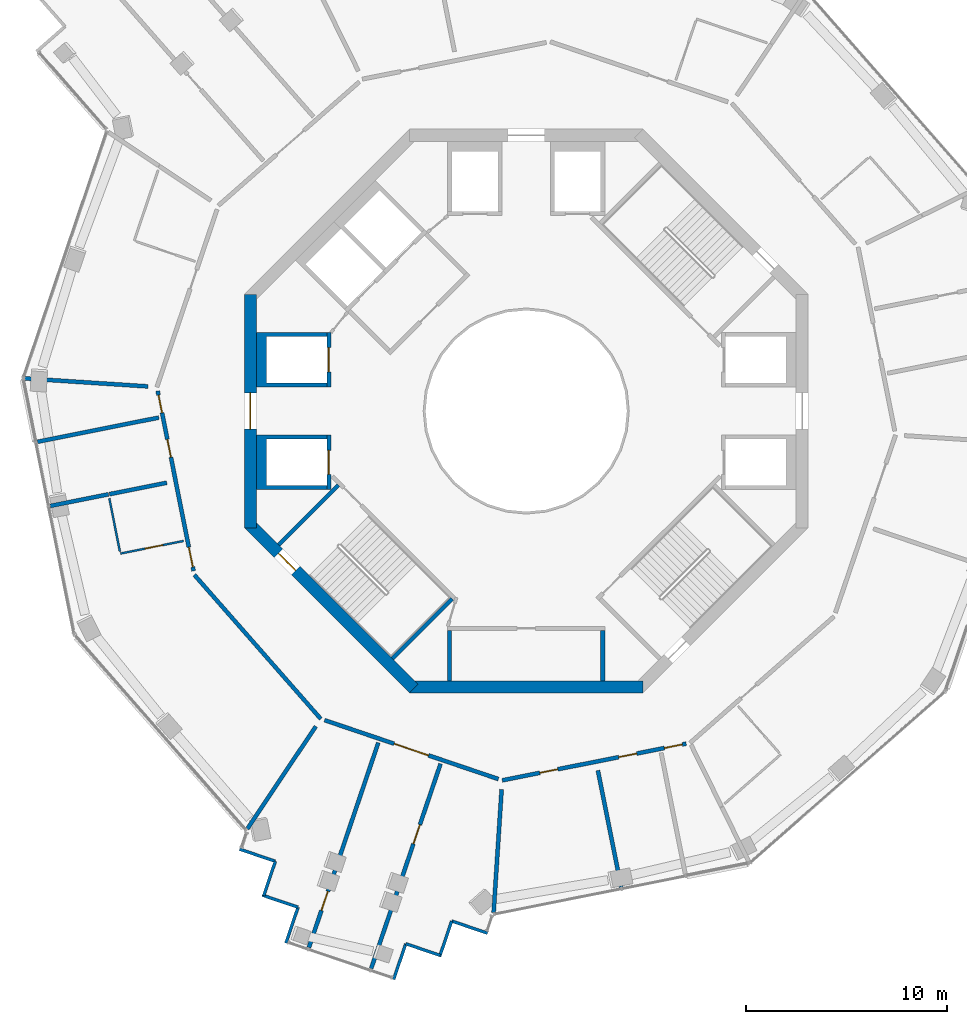
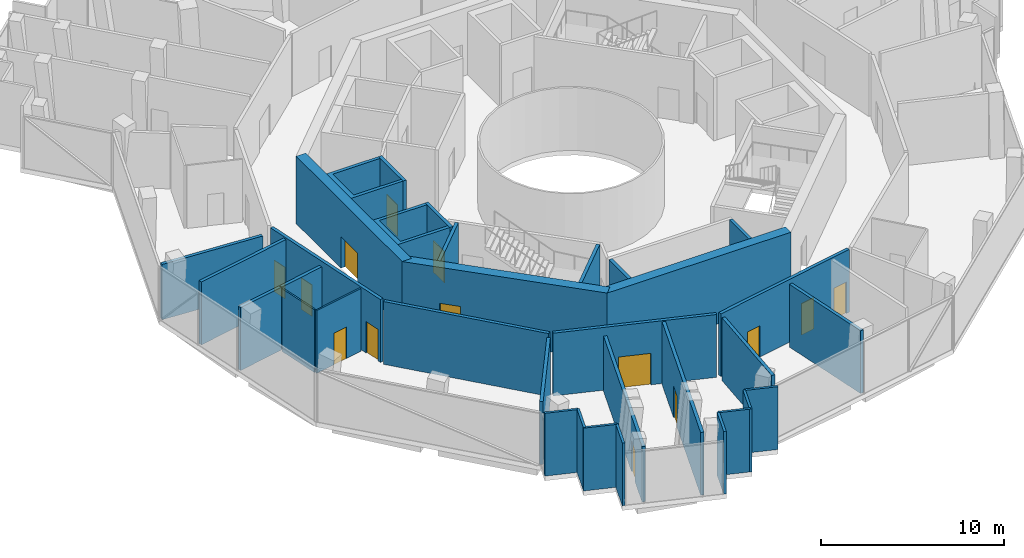
# One storey, part 11 of 17: 34 walls, 14 doors, 14 openings.
"""IFC4 building model written with IfcOpenShell, lengths in metres."""

from ifc_helpers import new_model, si_unit, direction, frame, frame_2d, origin, place, context, subcontext, project, spatial, polyline, rectangle, outline, extrude, material, layer, layer_set, type_object, element, fill, save


model = new_model("IFC4")

# Units and contexts
model_context = context("Model", 3, precision=1e-05, world=origin(), true_north=direction((0.0, 1.0)))
body_context = subcontext(model_context, "Body", "Model", "MODEL_VIEW")
ifc_project = project(units=[si_unit("LENGTHUNIT", "METRE"), si_unit("AREAUNIT", "SQUARE_METRE"), si_unit("VOLUMEUNIT", "CUBIC_METRE"), si_unit("PLANEANGLEUNIT", "RADIAN"), si_unit("MASSUNIT", "GRAM", prefix="KILO")], contexts=[model_context])

# Site, building, storey
site_placement = place(None, origin())
site = spatial("IfcSite", under=ifc_project, at=site_placement, CompositionType="ELEMENT")
building_placement = place(site_placement, origin())
building = spatial("IfcBuilding", under=site, at=building_placement, Name="Verdalira Terraces Hotel", CompositionType="ELEMENT")
storey_placement = place(building_placement, frame((0.0, 0.0, 201.0)))
storey = spatial("IfcBuildingStorey", under=building, at=storey_placement, Name="L49", CompositionType="ELEMENT", Elevation=201.0)

# Wall
ifc_material_1 = material(Name="Moisture-resistant gypsum board partition")
ifc_layer_1 = layer(ifc_material_1, 0.10009765625)
ifc_layer_set_1 = layer_set([ifc_layer_1], Name="Bathroom partition 100 mm")
wall_type_1 = type_object("IfcWallType", Name="Bathroom partition 100 mm", PredefinedType="PARTITIONING", material=ifc_layer_set_1)
wall_1_placement = place(storey_placement, frame((-20.182373, -6.982666, 0.0), z_axis=(0.0, 0.0, 1.0), x_axis=(-0.195577067, 0.980688335, 0.0)))
element("IfcWall", 1, at=wall_1_placement, inside=storey, type_object=wall_type_1, Name="Bathroom partition", PredefinedType="PARTITIONING", context=body_context, shape_type="SweptSolid", body=[
    extrude(rectangle(XDim=2.700195, YDim=0.100098, at=frame_2d((1.350098, 0.0))), origin(), (0.0, 0.0, 1.0), 4.189941),
])

# Wall, opening, door
wall_2_placement = place(storey_placement, frame((-20.162842, -7.080811, 0.0), z_axis=(0.0, 0.0, 1.0), x_axis=(0.980680318, 0.195617266, 0.0)))
wall_2 = element("IfcWall", 2, at=wall_2_placement, inside=storey, type_object=wall_type_1, Name="Bathroom partition", PredefinedType="PARTITIONING", context=body_context, shape_type="SweptSolid", body=[
    extrude(rectangle(XDim=3.199951, YDim=0.100098, at=frame_2d((1.600098, 0.0))), origin(), (0.0, 0.0, 1.0), 4.189941),
])
opening_1_placement = place(wall_2_placement, frame((1.25, 0.0, 0.0)))
opening_1 = element("IfcOpeningElement", 3, at=opening_1_placement, cuts=wall_2, Name="Opening L49-107", PredefinedType="OPENING", context=body_context, shape_type="SweptSolid", body=[
    extrude(rectangle(XDim=0.899902, YDim=2.100098, at=frame_2d((0.449951, 1.050049))), frame((0.0, 0.060059, 0.0), z_axis=(0.0, -1.0, 0.0), x_axis=(1.0, 0.0, 0.0)), (0.0, 0.0, 1.0), 0.120117),
])
ifc_material_2 = material(Name="Timber door", Category="wood")
door_type_1 = type_object("IfcDoorType", Name="Bathroom door 900 x 2100", OperationType="NOTDEFINED", PredefinedType="DOOR", material=ifc_material_2)
door_1_placement = place(opening_1_placement, origin())
door_1 = element("IfcDoor", 4, at=door_1_placement, inside=storey, type_object=door_type_1, Name="Bathroom door 4903", OperationType="SINGLE_SWING_LEFT", OverallHeight=2.10009765625, OverallWidth=0.89990234375, PredefinedType="DOOR", context=body_context, shape_type="SweptSolid", body=[
    extrude(rectangle(XDim=0.899902, YDim=2.100098, at=frame_2d((0.449951, 1.050049))), frame((0.0, 0.024902, 0.0), z_axis=(0.0, -1.0, 0.0), x_axis=(1.0, 0.0, 0.0)), (0.0, 0.0, 1.0), 0.050049),
])
fill(opening_1, door_1)

# Wall
ifc_material_3 = material(Name="Concrete C50", Category="concrete")
ifc_layer_2 = layer(ifc_material_3, 0.199951171875)
ifc_layer_set_2 = layer_set([ifc_layer_2], Name="Core RC wall 200 C50")
wall_type_2 = type_object("IfcWallType", Name="Core RC wall 200 C50", PredefinedType="SOLIDWALL", material=ifc_layer_set_2)
wall_3_placement = place(storey_placement, origin())
element("IfcWall", 5, at=wall_3_placement, inside=storey, type_object=wall_type_2, Name="L49 shaft wall W1", PredefinedType="SOLIDWALL", context=body_context, shape_type="SweptSolid", body=[
    extrude(outline(polyline([(-13.399902, 3.899902), (-9.899902, 3.899902), (-9.899902, 3.699951), (-12.899902, 3.699951), (-12.899902, 1.399902), (-9.899902, 1.399902), (-9.899902, 1.199951), (-13.399902, 1.199951), (-13.399902, 3.899902)])), origin(), (0.0, 0.0, 1.0), 4.189941),
])

# Wall, opening, door
wall_4_placement = place(storey_placement, frame((-9.800049, 1.199951, 0.0), z_axis=(0.0, 0.0, 1.0), x_axis=(0.0, 1.0, 0.0)))
wall_4 = element("IfcWall", 6, at=wall_4_placement, inside=storey, type_object=wall_type_2, Name="L49 shaft front wall W1", PredefinedType="SOLIDWALL", context=body_context, shape_type="SweptSolid", body=[
    extrude(rectangle(XDim=2.699951, YDim=0.199951, at=frame_2d((1.350098, 0.0))), origin(), (0.0, 0.0, 1.0), 4.189941),
])
opening_2_placement = place(wall_4_placement, frame((0.75, 0.0, 0.0)))
opening_2 = element("IfcOpeningElement", 7, at=opening_2_placement, cuts=wall_4, Name="Opening LD-L49-806", PredefinedType="OPENING", context=body_context, shape_type="SweptSolid", body=[
    extrude(rectangle(XDim=1.199951, YDim=2.100098, at=frame_2d((0.600098, 1.050049))), frame((0.0, 0.109863, 0.0), z_axis=(0.0, -1.0, 0.0), x_axis=(1.0, 0.0, 0.0)), (0.0, 0.0, 1.0), 0.219971),
])
ifc_material_4 = material(Name="Stainless steel", Category="steel")
door_type_2 = type_object("IfcDoorType", Name="Landing door 1200 x 2100", OperationType="NOTDEFINED", PredefinedType="DOOR", material=ifc_material_4)
door_2_placement = place(opening_2_placement, origin())
door_2 = element("IfcDoor", 8, at=door_2_placement, inside=storey, type_object=door_type_2, Name="Lift landing door HR5 L49", OperationType="DOUBLE_DOOR_SLIDING", OverallHeight=2.10009765625, OverallWidth=1.199951171875, PredefinedType="DOOR", context=body_context, shape_type="SweptSolid", body=[
    extrude(rectangle(XDim=1.199951, YDim=2.100098, at=frame_2d((0.600098, 1.050049))), frame((0.0, 0.024902, 0.0), z_axis=(0.0, -1.0, 0.0), x_axis=(1.0, 0.0, 0.0)), (0.0, 0.0, 1.0), 0.050049),
])
fill(opening_2, door_2)

# Wall
wall_5_placement = place(storey_placement, origin())
element("IfcWall", 9, at=wall_5_placement, inside=storey, type_object=wall_type_2, Name="L49 shaft wall W2", PredefinedType="SOLIDWALL", context=body_context, shape_type="SweptSolid", body=[
    extrude(outline(polyline([(-13.399902, -3.899902), (-13.399902, -1.199951), (-9.899902, -1.199951), (-9.899902, -1.399902), (-12.899902, -1.399902), (-12.899902, -3.699951), (-9.899902, -3.699951), (-9.899902, -3.899902), (-13.399902, -3.899902)])), origin(), (0.0, 0.0, 1.0), 4.189941),
])

# Wall, opening, door
wall_6_placement = place(storey_placement, frame((-9.800049, -1.199951, 0.0), z_axis=(0.0, 0.0, 1.0), x_axis=(0.0, -1.0, 0.0)))
wall_6 = element("IfcWall", 10, at=wall_6_placement, inside=storey, type_object=wall_type_2, Name="L49 shaft front wall W2", PredefinedType="SOLIDWALL", context=body_context, shape_type="SweptSolid", body=[
    extrude(rectangle(XDim=2.699951, YDim=0.199951, at=frame_2d((1.350098, 0.0))), origin(), (0.0, 0.0, 1.0), 4.189941),
])
opening_3_placement = place(wall_6_placement, frame((0.75, 0.0, 0.0)))
opening_3 = element("IfcOpeningElement", 11, at=opening_3_placement, cuts=wall_6, Name="Opening LD-L49-807", PredefinedType="OPENING", context=body_context, shape_type="SweptSolid", body=[
    extrude(rectangle(XDim=1.199951, YDim=2.100098, at=frame_2d((0.600098, 1.050049))), frame((0.0, 0.109863, 0.0), z_axis=(0.0, -1.0, 0.0), x_axis=(1.0, 0.0, 0.0)), (0.0, 0.0, 1.0), 0.219971),
])
door_3_placement = place(opening_3_placement, origin())
door_3 = element("IfcDoor", 12, at=door_3_placement, inside=storey, type_object=door_type_2, Name="Lift landing door HR6 L49", OperationType="DOUBLE_DOOR_SLIDING", OverallHeight=2.10009765625, OverallWidth=1.199951171875, PredefinedType="DOOR", context=body_context, shape_type="SweptSolid", body=[
    extrude(rectangle(XDim=1.199951, YDim=2.100098, at=frame_2d((0.600098, 1.050049))), frame((0.0, 0.024902, 0.0), z_axis=(0.0, -1.0, 0.0), x_axis=(1.0, 0.0, 0.0)), (0.0, 0.0, 1.0), 0.050049),
])
fill(opening_3, door_3)

# Walls
for number, where, z_axis, x_axis, name in (
    (13, (-3.800049, -10.899902, 0.0), (0.0, 0.0, 1.0), (0.0, -1.0, 0.0), "L49 store side wall"),
    (14, (3.800049, -10.899902, 0.0), (0.0, 0.0, 1.0), (0.0, -1.0, 0.0), "L49 store side wall"),
):
    element("IfcWall", number, at=place(storey_placement, frame(where, z_axis=z_axis, x_axis=x_axis)), inside=storey, type_object=wall_type_2, Name=name, PredefinedType="SOLIDWALL", context=body_context, shape_type="SweptSolid", body=[
        extrude(rectangle(XDim=2.5, YDim=0.199951, at=frame_2d((1.25, 0.0))), origin(), (0.0, 0.0, 1.0), 4.189941),
    ])
for number, where, z_axis, x_axis, name in (
    (15, (-9.33374, -3.677002, 0.0), (0.0, 0.0, 1.0), (-0.707135845, -0.707077716, 0.0), "L49 stair ST2 end wall 1"),
    (16, (-3.677002, -9.33374, 0.0), (0.0, 0.0, 1.0), (-0.707077716, -0.707135845, 0.0), "L49 stair ST2 end wall 2"),
):
    element("IfcWall", number, at=place(storey_placement, frame(where, z_axis=z_axis, x_axis=x_axis)), inside=storey, type_object=wall_type_2, Name=name, PredefinedType="SOLIDWALL", context=body_context, shape_type="SweptSolid", body=[
        extrude(rectangle(XDim=4.199951, YDim=0.199951, at=frame_2d((2.100098, 0.0))), origin(), (0.0, 0.0, 1.0), 4.189941),
    ])

# Wall, opening, door
ifc_material_5 = material(Name="Concrete C60", Category="concrete")
ifc_layer_3 = layer(ifc_material_5, 0.60009765625)
ifc_layer_set_3 = layer_set([ifc_layer_3], Name="Core wall 600 C60")
wall_type_3 = type_object("IfcWallType", Name="Core wall 600 C60", PredefinedType="SHEAR", material=ifc_layer_set_3)
wall_7_placement = place(storey_placement, frame((-13.699951, 5.799072, 0.0), z_axis=(0.0, 0.0, 1.0), x_axis=(0.0, -1.0, 0.0)))
wall_7 = element("IfcWall", 17, at=wall_7_placement, inside=storey, type_object=wall_type_3, Name="Core wall CW-L49-5", PredefinedType="SHEAR", context=body_context, shape_type="SweptSolid", body=[
    extrude(rectangle(XDim=11.598145, YDim=0.600098, at=frame_2d((5.799072, 0.0))), origin(), (0.0, 0.0, 1.0), 4.5),
])
opening_4_placement = place(wall_7_placement, frame((4.898926, 0.0, 0.0)))
opening_4 = element("IfcOpeningElement", 18, at=opening_4_placement, cuts=wall_7, Name="Opening L49-815", PredefinedType="OPENING", context=body_context, shape_type="SweptSolid", body=[
    extrude(rectangle(XDim=1.800049, YDim=2.100098, at=frame_2d((0.899902, 1.050049))), frame((0.0, 0.310059, 0.0), z_axis=(0.0, -1.0, 0.0), x_axis=(1.0, 0.0, 0.0)), (0.0, 0.0, 1.0), 0.620117),
])
ifc_material_6 = material(Name="Steel fire door", Category="steel")
door_type_3 = type_object("IfcDoorType", Name="Core entry door pair 1800 x 2100", OperationType="NOTDEFINED", PredefinedType="DOOR", material=ifc_material_6)
door_4_placement = place(opening_4_placement, origin())
door_4 = element("IfcDoor", 19, at=door_4_placement, inside=storey, type_object=door_type_3, Name="Core entry door L49 4", OperationType="DOUBLE_DOOR_SINGLE_SWING", OverallHeight=2.10009765625, OverallWidth=1.800048828125, PredefinedType="DOOR", context=body_context, shape_type="SweptSolid", body=[
    extrude(rectangle(XDim=1.800049, YDim=2.100098, at=frame_2d((0.899902, 1.050049))), frame((0.0, 0.024902, 0.0), z_axis=(0.0, -1.0, 0.0), x_axis=(1.0, 0.0, 0.0)), (0.0, 0.0, 1.0), 0.050049),
])
fill(opening_4, door_4)

wall_8_placement = place(storey_placement, frame((-13.787842, -5.586914, 0.0), z_axis=(0.0, 0.0, 1.0), x_axis=(0.707106781, -0.707106781, 0.0)))
wall_8 = element("IfcWall", 20, at=wall_8_placement, inside=storey, type_object=wall_type_3, Name="Core wall CW-L49-6", PredefinedType="SHEAR", context=body_context, shape_type="SweptSolid", body=[
    extrude(rectangle(XDim=11.5979, YDim=0.600098, at=frame_2d((5.798828, 0.0))), origin(), (0.0, 0.0, 1.0), 4.5),
])
opening_5_placement = place(wall_8_placement, frame((2.099121, 0.0, 0.0)))
opening_5 = element("IfcOpeningElement", 21, at=opening_5_placement, cuts=wall_8, Name="Opening L49-817", PredefinedType="OPENING", context=body_context, shape_type="SweptSolid", body=[
    extrude(rectangle(XDim=1.199951, YDim=2.100098, at=frame_2d((0.600098, 1.050049))), frame((0.0, 0.310059, 0.0), z_axis=(0.0, -1.0, 0.0), x_axis=(1.0, 0.0, 0.0)), (0.0, 0.0, 1.0), 0.620117),
])
ifc_material_7 = material(Name="Steel fire door", Category="steel")
door_type_4 = type_object("IfcDoorType", Name="Stair door 1200 x 2100", OperationType="NOTDEFINED", PredefinedType="DOOR", material=ifc_material_7)
door_5_placement = place(opening_5_placement, origin())
door_5 = element("IfcDoor", 22, at=door_5_placement, inside=storey, type_object=door_type_4, Name="Stair exit door ST2 L49", OperationType="SINGLE_SWING_LEFT", OverallHeight=2.10009765625, OverallWidth=1.199951171875, PredefinedType="DOOR", context=body_context, shape_type="SweptSolid", body=[
    extrude(rectangle(XDim=1.199951, YDim=2.100098, at=frame_2d((0.600098, 1.050049))), frame((0.0, 0.024902, 0.0), z_axis=(0.0, -1.0, 0.0), x_axis=(1.0, 0.0, 0.0)), (0.0, 0.0, 1.0), 0.050049),
])
fill(opening_5, door_5)

# Walls
wall_9_placement = place(storey_placement, frame((-5.799072, -13.699951, 0.0), z_axis=(0.0, 0.0, 1.0), x_axis=(1.0, 0.0, 0.0)))
element("IfcWall", 23, at=wall_9_placement, inside=storey, type_object=wall_type_3, Name="Core wall CW-L49-7", PredefinedType="SHEAR", context=body_context, shape_type="SweptSolid", body=[
    extrude(rectangle(XDim=11.598145, YDim=0.600098, at=frame_2d((5.799072, 0.0))), origin(), (0.0, 0.0, 1.0), 4.5),
])
ifc_material_8 = material(Name="Fire-rated gypsum board wall")
ifc_layer_4 = layer(ifc_material_8, 0.199951171875)
ifc_layer_set_4 = layer_set([ifc_layer_4], Name="Demising wall 200 mm")
wall_type_4 = type_object("IfcWallType", Name="Demising wall 200 mm", PredefinedType="SOLIDWALL", material=ifc_layer_set_4)
wall_10_placement = place(storey_placement, frame((-13.858398, -20.76416, 0.0), z_axis=(0.0, 0.0, 1.0), x_axis=(0.555131954, 0.831762294, 0.0)))
element("IfcWall", 24, at=wall_10_placement, inside=storey, type_object=wall_type_4, Name="Demising wall", PredefinedType="SOLIDWALL", context=body_context, shape_type="SweptSolid", body=[
    extrude(rectangle(XDim=6.13208, YDim=0.199951, at=frame_2d((3.065918, 0.0))), origin(), (0.0, 0.0, 1.0), 4.189941),
])

# Wall, opening, door
wall_11_placement = place(storey_placement, frame((-4.254883, -17.519531, 0.0), z_axis=(0.0, 0.0, 1.0), x_axis=(-0.320945371, -0.947097708, 0.0)))
wall_11 = element("IfcWall", 25, at=wall_11_placement, inside=storey, type_object=wall_type_4, Name="Demising wall", PredefinedType="SOLIDWALL", context=body_context, shape_type="SweptSolid", body=[
    extrude(rectangle(XDim=10.75, YDim=0.199951, at=frame_2d((5.375, 0.0))), origin(), (0.0, 0.0, 1.0), 4.189941),
])
opening_6_placement = place(wall_11_placement, frame((3.199951, 0.0, 0.0)))
opening_6 = element("IfcOpeningElement", 26, at=opening_6_placement, cuts=wall_11, Name="Opening L49-110", PredefinedType="OPENING", context=body_context, shape_type="SweptSolid", body=[
    extrude(rectangle(XDim=1.0, YDim=2.100098, at=frame_2d((0.5, 1.050049))), frame((0.0, 0.109863, 0.0), z_axis=(0.0, -1.0, 0.0), x_axis=(1.0, 0.0, 0.0)), (0.0, 0.0, 1.0), 0.219971),
])
ifc_material_9 = material(Name="Timber fire door", Category="wood")
door_type_5 = type_object("IfcDoorType", Name="Public room door 1000 x 2100", OperationType="NOTDEFINED", PredefinedType="DOOR", material=ifc_material_9)
door_6_placement = place(opening_6_placement, origin())
door_6 = element("IfcDoor", 27, at=door_6_placement, inside=storey, type_object=door_type_5, Name="Public room door 4904", OperationType="SINGLE_SWING_LEFT", OverallHeight=2.10009765625, OverallWidth=1.0, PredefinedType="DOOR", context=body_context, shape_type="SweptSolid", body=[
    extrude(rectangle(XDim=1.0, YDim=2.100098, at=frame_2d((0.5, 1.050049))), frame((0.0, 0.024902, 0.0), z_axis=(0.0, -1.0, 0.0), x_axis=(1.0, 0.0, 0.0)), (0.0, 0.0, 1.0), 0.050049),
])
fill(opening_6, door_6)

ifc_material_10 = material(Name="Fire-rated gypsum board wall")
ifc_layer_5 = layer(ifc_material_10, 0.199951171875)
ifc_layer_set_5 = layer_set([ifc_layer_5], Name="Demising wall 200 mm to beam soffit")
wall_type_5 = type_object("IfcWallType", Name="Demising wall 200 mm to beam soffit", PredefinedType="SOLIDWALL", material=ifc_layer_set_5)
wall_12_placement = place(storey_placement, frame((-10.796875, -26.653076, 0.0), z_axis=(0.0, 0.0, 1.0), x_axis=(0.320945371, 0.947097708, 0.0)))
wall_12 = element("IfcWall", 28, at=wall_12_placement, inside=storey, type_object=wall_type_5, Name="Demising wall", PredefinedType="SOLIDWALL", context=body_context, shape_type="SweptSolid", body=[
    extrude(rectangle(XDim=10.75, YDim=0.199951, at=frame_2d((5.375, 0.0))), origin(), (0.0, 0.0, 1.0), 3.689941),
])
opening_7_placement = place(wall_12_placement, frame((1.949951, 0.0, 0.0)))
opening_7 = element("IfcOpeningElement", 29, at=opening_7_placement, cuts=wall_12, Name="Opening L49-109", PredefinedType="OPENING", context=body_context, shape_type="SweptSolid", body=[
    extrude(rectangle(XDim=1.0, YDim=2.100098, at=frame_2d((0.5, 1.050049))), frame((0.0, 0.109863, 0.0), z_axis=(0.0, -1.0, 0.0), x_axis=(1.0, 0.0, 0.0)), (0.0, 0.0, 1.0), 0.219971),
])
door_7_placement = place(opening_7_placement, origin())
door_7 = element("IfcDoor", 30, at=door_7_placement, inside=storey, type_object=door_type_5, Name="Public room door 4904", OperationType="SINGLE_SWING_LEFT", OverallHeight=2.10009765625, OverallWidth=1.0, PredefinedType="DOOR", context=body_context, shape_type="SweptSolid", body=[
    extrude(rectangle(XDim=1.0, YDim=2.100098, at=frame_2d((0.5, 1.050049))), frame((0.0, 0.024902, 0.0), z_axis=(0.0, -1.0, 0.0), x_axis=(1.0, 0.0, 0.0)), (0.0, 0.0, 1.0), 0.050049),
])
fill(opening_7, door_7)

# Wall, openings, doors
ifc_material_11 = material(Name="Fire-rated gypsum board wall")
ifc_layer_6 = layer(ifc_material_11, 0.199951171875)
ifc_layer_set_6 = layer_set([ifc_layer_6], Name="Guest corridor wall 200 mm")
wall_type_6 = type_object("IfcWallType", Name="Guest corridor wall 200 mm", PredefinedType="SOLIDWALL", material=ifc_layer_set_6)
wall_13_placement = place(storey_placement, frame((-16.523682, -7.943359, 0.0), z_axis=(0.0, 0.0, 1.0), x_axis=(-0.195611383, 0.980681491, 0.0)))
wall_13 = element("IfcWall", 31, at=wall_13_placement, inside=storey, type_object=wall_type_6, Name="Guest corridor wall", PredefinedType="SOLIDWALL", context=body_context, shape_type="SweptSolid", body=[
    extrude(rectangle(XDim=9.115967, YDim=0.199951, at=frame_2d((4.558105, 0.0))), origin(), (0.0, 0.0, 1.0), 4.189941),
])
opening_8_placement = place(wall_13_placement, frame((0.199951, 0.0, 0.0)))
opening_8 = element("IfcOpeningElement", 32, at=opening_8_placement, cuts=wall_13, Name="Opening L49-106", PredefinedType="OPENING", context=body_context, shape_type="SweptSolid", body=[
    extrude(rectangle(XDim=1.0, YDim=2.100098, at=frame_2d((0.5, 1.050049))), frame((0.0, 0.109863, 0.0), z_axis=(0.0, -1.0, 0.0), x_axis=(1.0, 0.0, 0.0)), (0.0, 0.0, 1.0), 0.219971),
])
opening_9_placement = place(wall_13_placement, frame((8.007812, 0.0, 0.0)))
opening_9 = element("IfcOpeningElement", 33, at=opening_9_placement, cuts=wall_13, Name="Opening L49-125", PredefinedType="OPENING", context=body_context, shape_type="SweptSolid", body=[
    extrude(rectangle(XDim=0.899902, YDim=2.100098, at=frame_2d((0.449951, 1.050049))), frame((0.0, 0.109863, 0.0), z_axis=(0.0, -1.0, 0.0), x_axis=(1.0, 0.0, 0.0)), (0.0, 0.0, 1.0), 0.219971),
])
opening_10_placement = place(wall_13_placement, frame((5.757812, 0.0, 0.0)))
opening_10 = element("IfcOpeningElement", 34, at=opening_10_placement, cuts=wall_13, Name="Opening L49-126", PredefinedType="OPENING", context=body_context, shape_type="SweptSolid", body=[
    extrude(rectangle(XDim=0.899902, YDim=2.100098, at=frame_2d((0.449951, 1.050049))), frame((0.0, 0.109863, 0.0), z_axis=(0.0, -1.0, 0.0), x_axis=(1.0, 0.0, 0.0)), (0.0, 0.0, 1.0), 0.219971),
])
ifc_material_12 = material(Name="Timber fire door", Category="wood")
door_type_6 = type_object("IfcDoorType", Name="Guest entry door 1000 x 2100", OperationType="NOTDEFINED", PredefinedType="DOOR", material=ifc_material_12)
door_8_placement = place(opening_8_placement, origin())
door_8 = element("IfcDoor", 35, at=door_8_placement, inside=storey, type_object=door_type_6, Name="Guest entry door 4903", OperationType="SINGLE_SWING_LEFT", OverallHeight=2.10009765625, OverallWidth=1.0, PredefinedType="DOOR", context=body_context, shape_type="SweptSolid", body=[
    extrude(rectangle(XDim=1.0, YDim=2.100098, at=frame_2d((0.5, 1.050049))), frame((0.0, 0.024902, 0.0), z_axis=(0.0, -1.0, 0.0), x_axis=(1.0, 0.0, 0.0)), (0.0, 0.0, 1.0), 0.050049),
])
fill(opening_8, door_8)
ifc_material_13 = material(Name="Timber fire door", Category="wood")
door_type_7 = type_object("IfcDoorType", Name="Toilet door 900 x 2100", OperationType="NOTDEFINED", PredefinedType="DOOR", material=ifc_material_13)
door_9_placement = place(opening_9_placement, origin())
door_9 = element("IfcDoor", 36, at=door_9_placement, inside=storey, type_object=door_type_7, Name="Toilet door 4914", OperationType="SINGLE_SWING_LEFT", OverallHeight=2.10009765625, OverallWidth=0.89990234375, PredefinedType="DOOR", context=body_context, shape_type="SweptSolid", body=[
    extrude(rectangle(XDim=0.899902, YDim=2.100098, at=frame_2d((0.449951, 1.050049))), frame((0.0, 0.024902, 0.0), z_axis=(0.0, -1.0, 0.0), x_axis=(1.0, 0.0, 0.0)), (0.0, 0.0, 1.0), 0.050049),
])
fill(opening_9, door_9)
door_10_placement = place(opening_10_placement, origin())
door_10 = element("IfcDoor", 37, at=door_10_placement, inside=storey, type_object=door_type_7, Name="Toilet door 4915", OperationType="SINGLE_SWING_LEFT", OverallHeight=2.10009765625, OverallWidth=0.89990234375, PredefinedType="DOOR", context=body_context, shape_type="SweptSolid", body=[
    extrude(rectangle(XDim=0.899902, YDim=2.100098, at=frame_2d((0.449951, 1.050049))), frame((0.0, 0.024902, 0.0), z_axis=(0.0, -1.0, 0.0), x_axis=(1.0, 0.0, 0.0)), (0.0, 0.0, 1.0), 0.050049),
])
fill(opening_10, door_10)

# Wall
wall_14_placement = place(storey_placement, frame((-16.484131, -8.140381, 0.0), z_axis=(0.0, 0.0, 1.0), x_axis=(0.659731564, -0.75150134, 0.0)))
element("IfcWall", 38, at=wall_14_placement, inside=storey, type_object=wall_type_6, Name="Guest corridor wall", PredefinedType="SOLIDWALL", context=body_context, shape_type="SweptSolid", body=[
    extrude(rectangle(XDim=9.516113, YDim=0.199951, at=frame_2d((4.758057, 0.0))), origin(), (0.0, 0.0, 1.0), 4.189941),
])

# Wall, opening, door
wall_15_placement = place(storey_placement, frame((-1.38208, -18.281982, 0.0), z_axis=(0.0, 0.0, 1.0), x_axis=(-0.947096925, 0.320947681, 0.0)))
wall_15 = element("IfcWall", 39, at=wall_15_placement, inside=storey, type_object=wall_type_6, Name="Guest corridor wall", PredefinedType="SOLIDWALL", context=body_context, shape_type="SweptSolid", body=[
    extrude(rectangle(XDim=9.116943, YDim=0.199951, at=frame_2d((4.558594, 0.0))), origin(), (0.0, 0.0, 1.0), 4.189941),
])
opening_11_placement = place(wall_15_placement, frame((3.665283, 0.0, 0.0)))
opening_11 = element("IfcOpeningElement", 40, at=opening_11_placement, cuts=wall_15, Name="Opening L49-108", PredefinedType="OPENING", context=body_context, shape_type="SweptSolid", body=[
    extrude(rectangle(XDim=1.800049, YDim=2.100098, at=frame_2d((0.899902, 1.050049))), frame((0.0, 0.109863, 0.0), z_axis=(0.0, -1.0, 0.0), x_axis=(1.0, 0.0, 0.0)), (0.0, 0.0, 1.0), 0.219971),
])
ifc_material_14 = material(Name="Timber fire door", Category="wood")
door_type_8 = type_object("IfcDoorType", Name="Public room double door 1800 x 2100", OperationType="NOTDEFINED", PredefinedType="DOOR", material=ifc_material_14)
door_11_placement = place(opening_11_placement, origin())
door_11 = element("IfcDoor", 41, at=door_11_placement, inside=storey, type_object=door_type_8, Name="Public room double door 4904", OperationType="DOUBLE_DOOR_SINGLE_SWING", OverallHeight=2.10009765625, OverallWidth=1.800048828125, PredefinedType="DOOR", context=body_context, shape_type="SweptSolid", body=[
    extrude(rectangle(XDim=1.800049, YDim=2.100098, at=frame_2d((0.899902, 1.050049))), frame((0.0, 0.024902, 0.0), z_axis=(0.0, -1.0, 0.0), x_axis=(1.0, 0.0, 0.0)), (0.0, 0.0, 1.0), 0.050049),
])
fill(opening_11, door_11)

# Wall, openings, doors
wall_16_placement = place(storey_placement, frame((7.943848, -16.523682, 0.0), z_axis=(0.0, 0.0, 1.0), x_axis=(-0.980685355, -0.195592013, 0.0)))
wall_16 = element("IfcWall", 42, at=wall_16_placement, inside=storey, type_object=wall_type_6, Name="Guest corridor wall", PredefinedType="SOLIDWALL", context=body_context, shape_type="SweptSolid", body=[
    extrude(rectangle(XDim=9.31665, YDim=0.199951, at=frame_2d((4.658203, 0.0))), origin(), (0.0, 0.0, 1.0), 4.189941),
])
opening_12_placement = place(wall_16_placement, frame((6.508301, 0.0, 0.0)))
opening_12 = element("IfcOpeningElement", 43, at=opening_12_placement, cuts=wall_16, Name="Opening L49-111", PredefinedType="OPENING", context=body_context, shape_type="SweptSolid", body=[
    extrude(rectangle(XDim=0.899902, YDim=2.100098, at=frame_2d((0.449951, 1.050049))), frame((0.0, 0.109863, 0.0), z_axis=(0.0, -1.0, 0.0), x_axis=(1.0, 0.0, 0.0)), (0.0, 0.0, 1.0), 0.219971),
])
opening_13_placement = place(wall_16_placement, frame((2.508301, 0.0, 0.0)))
opening_13 = element("IfcOpeningElement", 44, at=opening_13_placement, cuts=wall_16, Name="Opening L49-123", PredefinedType="OPENING", context=body_context, shape_type="SweptSolid", body=[
    extrude(rectangle(XDim=0.899902, YDim=2.100098, at=frame_2d((0.449951, 1.050049))), frame((0.0, 0.109863, 0.0), z_axis=(0.0, -1.0, 0.0), x_axis=(1.0, 0.0, 0.0)), (0.0, 0.0, 1.0), 0.219971),
])
opening_14_placement = place(wall_16_placement, frame((0.199951, 0.0, 0.0)))
opening_14 = element("IfcOpeningElement", 45, at=opening_14_placement, cuts=wall_16, Name="Opening L49-124", PredefinedType="OPENING", context=body_context, shape_type="SweptSolid", body=[
    extrude(rectangle(XDim=0.899902, YDim=2.100098, at=frame_2d((0.449951, 1.050049))), frame((0.0, 0.109863, 0.0), z_axis=(0.0, -1.0, 0.0), x_axis=(1.0, 0.0, 0.0)), (0.0, 0.0, 1.0), 0.219971),
])
ifc_material_15 = material(Name="Steel fire door", Category="steel")
door_type_9 = type_object("IfcDoorType", Name="Service room door 900 x 2100", OperationType="NOTDEFINED", PredefinedType="DOOR", material=ifc_material_15)
door_12_placement = place(opening_12_placement, origin())
door_12 = element("IfcDoor", 46, at=door_12_placement, inside=storey, type_object=door_type_9, Name="Service room door 4905", OperationType="SINGLE_SWING_LEFT", OverallHeight=2.10009765625, OverallWidth=0.89990234375, PredefinedType="DOOR", context=body_context, shape_type="SweptSolid", body=[
    extrude(rectangle(XDim=0.899902, YDim=2.100098, at=frame_2d((0.449951, 1.050049))), frame((0.0, 0.024902, 0.0), z_axis=(0.0, -1.0, 0.0), x_axis=(1.0, 0.0, 0.0)), (0.0, 0.0, 1.0), 0.050049),
])
fill(opening_12, door_12)
door_13_placement = place(opening_13_placement, origin())
door_13 = element("IfcDoor", 47, at=door_13_placement, inside=storey, type_object=door_type_7, Name="Toilet door 4912", OperationType="SINGLE_SWING_LEFT", OverallHeight=2.10009765625, OverallWidth=0.89990234375, PredefinedType="DOOR", context=body_context, shape_type="SweptSolid", body=[
    extrude(rectangle(XDim=0.899902, YDim=2.100098, at=frame_2d((0.449951, 1.050049))), frame((0.0, 0.024902, 0.0), z_axis=(0.0, -1.0, 0.0), x_axis=(1.0, 0.0, 0.0)), (0.0, 0.0, 1.0), 0.050049),
])
fill(opening_13, door_13)
door_14_placement = place(opening_14_placement, origin())
door_14 = element("IfcDoor", 48, at=door_14_placement, inside=storey, type_object=door_type_7, Name="Toilet door 4913", OperationType="SINGLE_SWING_LEFT", OverallHeight=2.10009765625, OverallWidth=0.89990234375, PredefinedType="DOOR", context=body_context, shape_type="SweptSolid", body=[
    extrude(rectangle(XDim=0.899902, YDim=2.100098, at=frame_2d((0.449951, 1.050049))), frame((0.0, 0.024902, 0.0), z_axis=(0.0, -1.0, 0.0), x_axis=(1.0, 0.0, 0.0)), (0.0, 0.0, 1.0), 0.050049),
])
fill(opening_14, door_14)

# Walls
ifc_material_16 = material(Name="Fire-rated gypsum board wall")
ifc_layer_7 = layer(ifc_material_16, 0.199951171875)
ifc_layer_set_7 = layer_set([ifc_layer_7], Name="Service room wall 200 mm")
wall_type_7 = type_object("IfcWallType", Name="Service room wall 200 mm", PredefinedType="SOLIDWALL", material=ifc_layer_set_7)
wall_17_placement = place(storey_placement, frame((-20.747803, -4.138184, 0.0), z_axis=(0.0, 0.0, 1.0), x_axis=(-0.980666471, -0.195686672, 0.0)))
element("IfcWall", 49, at=wall_17_placement, inside=storey, type_object=wall_type_7, Name="Service room wall", PredefinedType="SOLIDWALL", context=body_context, shape_type="SweptSolid", body=[
    extrude(rectangle(XDim=2.951904, YDim=0.199951, at=frame_2d((1.476074, 0.0))), origin(), (0.0, 0.0, 1.0), 4.189941),
])
wall_18_placement = place(storey_placement, frame((-18.24707, -0.325439, 0.0), z_axis=(0.0, 0.0, 1.0), x_axis=(-0.98067827, -0.195627531, 0.0)))
element("IfcWall", 50, at=wall_18_placement, inside=storey, type_object=wall_type_7, Name="Service room wall", PredefinedType="SOLIDWALL", context=body_context, shape_type="SweptSolid", body=[
    extrude(rectangle(XDim=6.150146, YDim=0.199951, at=frame_2d((3.075195, 0.0))), origin(), (0.0, 0.0, 1.0), 4.189941),
])
wall_19_placement = place(storey_placement, frame((-17.854004, -3.561035, 0.0), z_axis=(0.0, 0.0, 1.0), x_axis=(-0.980667866, -0.195679677, 0.0)))
element("IfcWall", 51, at=wall_19_placement, inside=storey, type_object=wall_type_7, Name="Service room wall", PredefinedType="SOLIDWALL", context=body_context, shape_type="SweptSolid", body=[
    extrude(rectangle(XDim=2.904541, YDim=0.199951, at=frame_2d((1.452148, 0.0))), origin(), (0.0, 0.0, 1.0), 4.189941),
])
wall_20_placement = place(storey_placement, frame((-1.22168, -18.792236, 0.0), z_axis=(0.0, 0.0, 1.0), x_axis=(-0.064893846, -0.997892173, 0.0)))
element("IfcWall", 52, at=wall_20_placement, inside=storey, type_object=wall_type_7, Name="Service room wall", PredefinedType="SOLIDWALL", context=body_context, shape_type="SweptSolid", body=[
    extrude(rectangle(XDim=6.132324, YDim=0.199951, at=frame_2d((3.066162, 0.0))), origin(), (0.0, 0.0, 1.0), 4.189941),
])
wall_21_placement = place(storey_placement, frame((3.561035, -17.854004, 0.0), z_axis=(0.0, 0.0, 1.0), x_axis=(0.195638866, -0.980676009, 0.0)))
element("IfcWall", 53, at=wall_21_placement, inside=storey, type_object=wall_type_7, Name="Service room wall", PredefinedType="SOLIDWALL", context=body_context, shape_type="SweptSolid", body=[
    extrude(rectangle(XDim=5.902588, YDim=0.199951, at=frame_2d((2.951172, 0.0))), origin(), (0.0, 0.0, 1.0), 4.189941),
])
ifc_material_17 = material(Name="Fire-rated gypsum board wall")
ifc_layer_8 = layer(ifc_material_17, 0.199951171875)
ifc_layer_set_8 = layer_set([ifc_layer_8], Name="Service room wall 200 mm to beam soffit")
wall_type_8 = type_object("IfcWallType", Name="Service room wall 200 mm to beam soffit", PredefinedType="SOLIDWALL", material=ifc_layer_set_8)
wall_22_placement = place(storey_placement, frame((-24.911621, 1.619629, 0.0), z_axis=(0.0, 0.0, 1.0), x_axis=(0.997892173, -0.064893846, 0.0)))
element("IfcWall", 54, at=wall_22_placement, inside=storey, type_object=wall_type_8, Name="Service room wall", PredefinedType="SOLIDWALL", context=body_context, shape_type="SweptSolid", body=[
    extrude(rectangle(XDim=6.132324, YDim=0.199951, at=frame_2d((3.066162, 0.0))), origin(), (0.0, 0.0, 1.0), 3.689941),
])
ifc_material_18 = material(Name="Terracotta cladding", Category="masonry")
ifc_layer_9 = layer(ifc_material_18, 0.14990234375)
ifc_layer_set_9 = layer_set([ifc_layer_9], Name="Terracotta clad wall 150")
wall_type_9 = type_object("IfcWallType", Name="Terracotta clad wall 150", PredefinedType="SOLIDWALL", material=ifc_layer_set_9)
wall_23_placement = place(storey_placement, frame((-14.238525, -21.764893, 0.0), z_axis=(0.0, 0.0, 1.0), x_axis=(0.947096069, -0.320950208, 0.0)))
element("IfcWall", 55, at=wall_23_placement, inside=storey, type_object=wall_type_9, Name="Terracotta cladding wall", PredefinedType="SOLIDWALL", context=body_context, shape_type="SweptSolid", body=[
    extrude(rectangle(XDim=1.875, YDim=0.149902, at=frame_2d((0.9375, 0.0))), origin(), (0.0, 0.0, 1.0), 4.189941),
])
wall_24_placement = place(storey_placement, frame((-12.462646, -22.366699, 0.0), z_axis=(0.0, 0.0, 1.0), x_axis=(-0.321024848, -0.947070772, 0.0)))
element("IfcWall", 56, at=wall_24_placement, inside=storey, type_object=wall_type_9, Name="Terracotta cladding wall", PredefinedType="SOLIDWALL", context=body_context, shape_type="SweptSolid", body=[
    extrude(rectangle(XDim=1.800049, YDim=0.149902, at=frame_2d((0.899902, 0.0))), origin(), (0.0, 0.0, 1.0), 4.189941),
])
for number, where, z_axis, x_axis, name in (
    (57, (-13.111572, -24.047363, 0.0), (0.0, 0.0, 1.0), (0.947096069, -0.320950208, 0.0), "Terracotta cladding wall"),
    (58, (-11.335693, -24.64917, 0.0), (0.0, 0.0, 1.0), (-0.320950208, -0.947096069, 0.0), "Terracotta cladding wall"),
):
    element("IfcWall", number, at=place(storey_placement, frame(where, z_axis=z_axis, x_axis=x_axis)), inside=storey, type_object=wall_type_9, Name=name, PredefinedType="SOLIDWALL", context=body_context, shape_type="SweptSolid", body=[
        extrude(rectangle(XDim=1.875, YDim=0.149902, at=frame_2d((0.9375, 0.0))), origin(), (0.0, 0.0, 1.0), 4.189941),
    ])
wall_25_placement = place(storey_placement, frame((-6.586426, -28.238281, 0.0), z_axis=(0.0, 0.0, 1.0), x_axis=(0.32098979, 0.947082655, 0.0)))
element("IfcWall", 59, at=wall_25_placement, inside=storey, type_object=wall_type_9, Name="Terracotta cladding wall", PredefinedType="SOLIDWALL", context=body_context, shape_type="SweptSolid", body=[
    extrude(rectangle(XDim=1.874756, YDim=0.149902, at=frame_2d((0.9375, 0.0))), origin(), (0.0, 0.0, 1.0), 4.189941),
])
wall_26_placement = place(storey_placement, frame((-5.984619, -26.462646, 0.0), z_axis=(0.0, 0.0, 1.0), x_axis=(0.947112, -0.320903192, 0.0)))
element("IfcWall", 60, at=wall_26_placement, inside=storey, type_object=wall_type_9, Name="Terracotta cladding wall", PredefinedType="SOLIDWALL", context=body_context, shape_type="SweptSolid", body=[
    extrude(rectangle(XDim=1.800049, YDim=0.149902, at=frame_2d((0.899902, 0.0))), origin(), (0.0, 0.0, 1.0), 4.189941),
])
for number, where, z_axis, x_axis, name in (
    (61, (-4.303955, -27.111328, 0.0), (0.0, 0.0, 1.0), (0.320950208, 0.947096069, 0.0), "Terracotta cladding wall"),
    (62, (-3.702148, -25.335449, 0.0), (0.0, 0.0, 1.0), (0.947096069, -0.320950208, 0.0), "Terracotta cladding wall"),
):
    element("IfcWall", number, at=place(storey_placement, frame(where, z_axis=z_axis, x_axis=x_axis)), inside=storey, type_object=wall_type_9, Name=name, PredefinedType="SOLIDWALL", context=body_context, shape_type="SweptSolid", body=[
        extrude(rectangle(XDim=1.875, YDim=0.149902, at=frame_2d((0.9375, 0.0))), origin(), (0.0, 0.0, 1.0), 4.189941),
    ])

save(model, "model.ifc")
